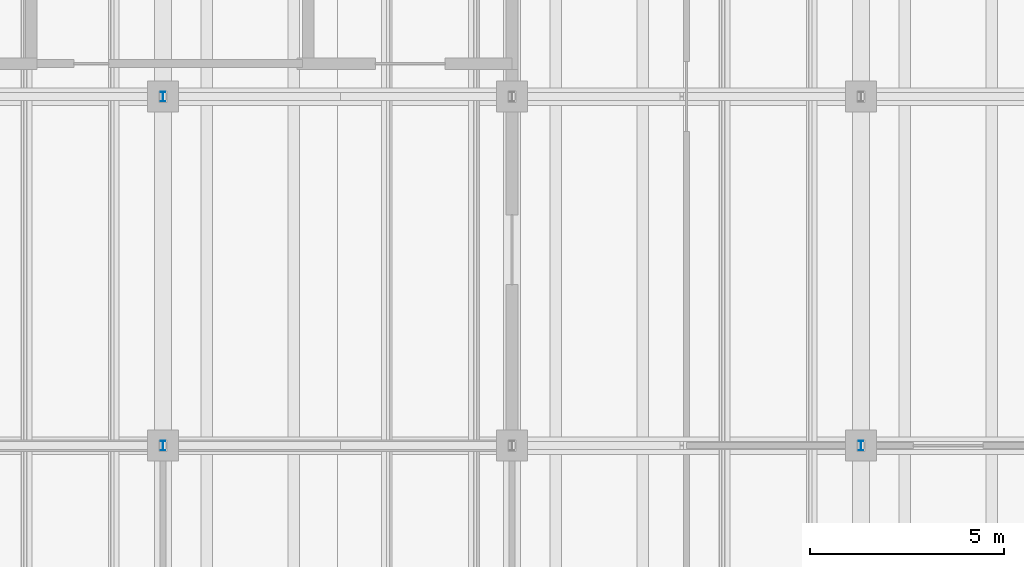
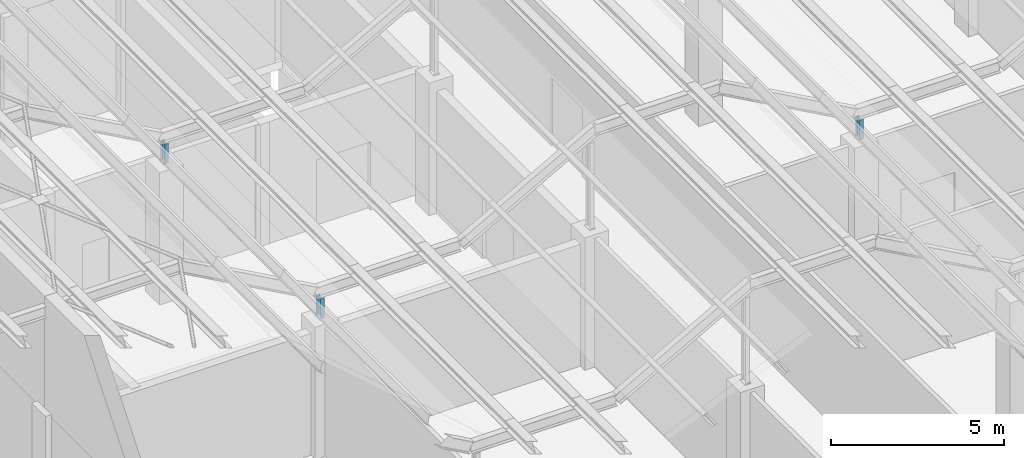
# One storey, part 232 of 437: 3 members.
"""IFC4 building model written with IfcOpenShell, lengths in metres."""

from ifc_helpers import new_model, si_unit, direction, frame, origin, origin_2d, place, context, subcontext, project, spatial, i_section, extrude, material, material_profile, profile_set, type_object, element, save


model = new_model("IFC4")

# Units and contexts
model_context = context("Model", 3, precision=1e-05, world=origin(), true_north=direction((0.0, 1.0)))
body_context = subcontext(model_context, "Body", "Model", "MODEL_VIEW")
ifc_project = project(units=[si_unit("LENGTHUNIT", "METRE"), si_unit("AREAUNIT", "SQUARE_METRE"), si_unit("VOLUMEUNIT", "CUBIC_METRE"), si_unit("PLANEANGLEUNIT", "RADIAN"), si_unit("MASSUNIT", "GRAM", prefix="KILO")], contexts=[model_context])

# Site, building, storey
site_placement = place(None, origin())
site = spatial("IfcSite", under=ifc_project, at=site_placement, CompositionType="ELEMENT")
building_placement = place(site_placement, origin())
building = spatial("IfcBuilding", under=site, at=building_placement, Name="Opaline Strait Convention Centre", CompositionType="ELEMENT")
storey_placement = place(building_placement, frame((0.0, 0.0, 11.5)))
storey = spatial("IfcBuildingStorey", under=building, at=storey_placement, Name="L02", CompositionType="ELEMENT", Elevation=11.5)

# Members
ifc_material = material(Name="Steel Q355B", Category="steel")
ifc_material_profile = material_profile(ifc_material, i_section(OverallWidth=0.125, OverallDepth=0.25, WebThickness=0.006103515625, FlangeThickness=0.009033203125, FilletRadius=0.008056640625, at=origin_2d()), Name="HN 250x125x6x9")
ifc_profile_set = profile_set([ifc_material_profile], Name="Steel Q355B")
member_type = type_object("IfcMemberType", Name="Roof post HN 250x125x6x9", PredefinedType="STRUT", material=ifc_profile_set)
for number, where, z_axis, x_axis, name in (
    (1, (18.0, 81.0, 4.68994140625), (0.0, 0.0, 1.0), (1.0, 0.0, 0.0), "RP1 roof post at 18/81"),
    (2, (36.0, 81.0, 4.68994140625), (0.0, 0.0, 1.0), (1.0, 0.0, 0.0), "RP1 roof post at 36/81"),
    (3, (18.0, 90.0, 4.68994140625), (0.0, 0.0, 1.0), (1.0, 0.0, 0.0), "RP1 roof post at 18/90"),
):
    element("IfcMember", number, at=place(storey_placement, frame(where, z_axis=z_axis, x_axis=x_axis)), inside=storey, type_object=member_type, Name=name, PredefinedType="STRUT", context=body_context, shape_type="SweptSolid", body=[
        extrude(i_section(OverallWidth=0.125, OverallDepth=0.25, WebThickness=0.006103515625, FlangeThickness=0.009033203125, FilletRadius=0.008056640625, at=origin_2d()), origin(), (0.0, 0.0, 1.0), 0.695068359375),
    ])

save(model, "model.ifc")
